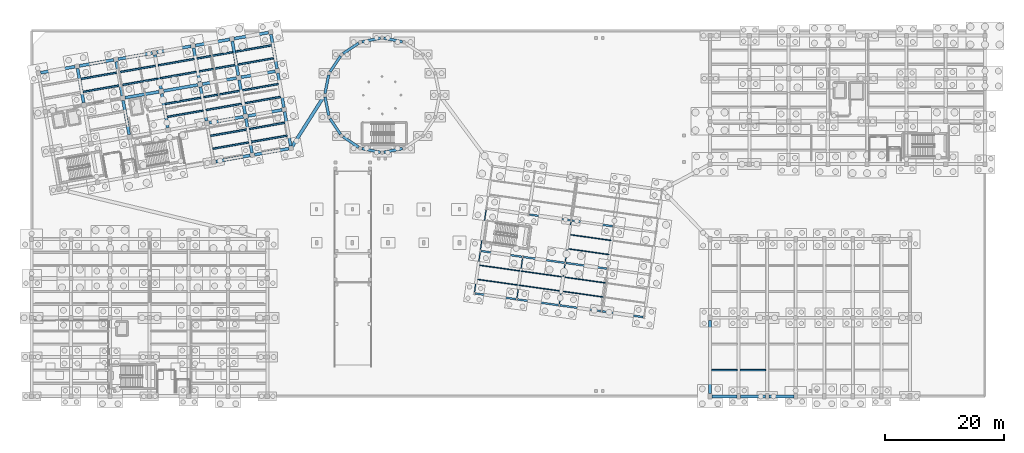
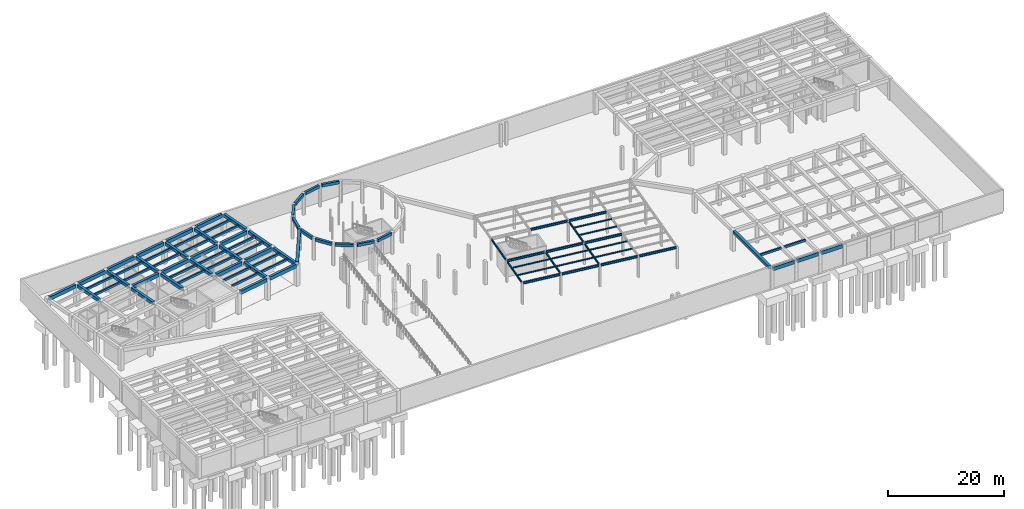
# One storey, part 18 of 34: 86 beams.
"""IFC4 building model written with IfcOpenShell, lengths in metres."""

from ifc_helpers import new_model, si_unit, direction, frame, origin, origin_2d, place, context, subcontext, project, spatial, rectangle, i_section, extrude, material, material_profile, profile_set, type_object, element, save


model = new_model("IFC4")

# Units and contexts
model_context = context("Model", 3, precision=1e-05, world=origin(), true_north=direction((0.0, 1.0)))
body_context = subcontext(model_context, "Body", "Model", "MODEL_VIEW")
ifc_project = project(units=[si_unit("LENGTHUNIT", "METRE"), si_unit("AREAUNIT", "SQUARE_METRE"), si_unit("VOLUMEUNIT", "CUBIC_METRE"), si_unit("PLANEANGLEUNIT", "RADIAN"), si_unit("MASSUNIT", "GRAM", prefix="KILO")], contexts=[model_context])

# Site, building, storey
site_placement = place(None, origin())
site = spatial("IfcSite", under=ifc_project, at=site_placement, CompositionType="ELEMENT")
building_placement = place(site_placement, origin())
building = spatial("IfcBuilding", under=site, at=building_placement, Name="Kharisveld Research Institute", CompositionType="ELEMENT")
storey_placement = place(building_placement, frame((0.0, 0.0, -4.800048828125)))
storey = spatial("IfcBuildingStorey", under=building, at=storey_placement, Name="B1", CompositionType="ELEMENT", Elevation=-4.800048828125)

# Beams
ifc_material_1 = material(Name="Concrete C40/50", Category="concrete")
ifc_material_profile_1 = material_profile(ifc_material_1, rectangle(XDim=0.449951171875, YDim=0.60009765625, at=origin_2d()))
ifc_profile_set_1 = profile_set([ifc_material_profile_1], Name="Concrete C40/50")
beam_type_1 = type_object("IfcBeamType", Name="BM_RC_450x600", PredefinedType="BEAM", material=ifc_profile_set_1)
for number, where, z_axis, x_axis, name in (
    (1, (62.898681640625, 59.77392578125, 4.320068359375), (-0.980790735616, 0.195062894807, 0.0), (-0.195062894807, -0.980790735616, 0.0), "BM:V6:B1:RING03"),
    (2, (59.205810546875, 60.391357421875, 4.320068359375), (-0.980790735616, -0.195062894807, 0.0), (0.195062894807, -0.980790735616, 0.0), "BM:V6:B1:RING04"),
    (3, (55.5576171875, 59.548828125, 4.320068359375), (-0.831468390799, -0.555572061125, 0.0), (0.555572061125, -0.831468390799, 0.0), "BM:V6:B1:RING05"),
):
    element("IfcBeam", number, at=place(storey_placement, frame(where, z_axis=z_axis, x_axis=x_axis)), inside=storey, type_object=beam_type_1, Name=name, PredefinedType="BEAM", context=body_context, shape_type="SweptSolid", body=[
        extrude(rectangle(XDim=0.449951171875, YDim=0.60009765625, at=origin_2d()), origin(), (0.0, 0.0, 1.0), 3.165283203125),
    ])
beam_1_placement = place(storey_placement, frame((52.509765625, 57.3740234375, 4.320068359375), z_axis=(-0.555607692678, -0.831444581338, 0.0), x_axis=(0.831444581338, -0.555607692678, 0.0)))
element("IfcBeam", 4, at=beam_1_placement, inside=storey, type_object=beam_type_1, Name="BM:V6:B1:RING06", PredefinedType="BEAM", context=body_context, shape_type="SweptSolid", body=[
    extrude(rectangle(XDim=0.449951171875, YDim=0.60009765625, at=origin_2d()), origin(), (0.0, 0.0, 1.0), 3.1650390625),
])
for number, where, z_axis, x_axis, name in (
    (5, (50.526123046875, 54.19873046875, 4.320068359375), (-0.1951370888, -0.980775976752, 0.0), (0.980775976752, -0.1951370888, 0.0), "BM:V6:B1:RING07"),
    (6, (49.908447265625, 50.505859375, 4.320068359375), (0.1951370888, -0.980775976752, 0.0), (0.980775976752, 0.1951370888, 0.0), "BM:V6:B1:RING08"),
    (7, (50.751220703125, 46.857666015625, 4.320068359375), (0.555572061125, -0.831468390799, 0.0), (0.831468390799, 0.555572061125, 0.0), "BM:V6:B1:RING09"),
    (8, (52.92578125, 43.809814453125, 4.320068359375), (0.831468390799, -0.555572061125, 0.0), (0.555572061125, 0.831468390799, 0.0), "BM:V6:B1:RING10"),
    (9, (56.101318359375, 41.825927734375, 4.320068359375), (0.980790735616, -0.195062894807, 0.0), (0.195062894807, 0.980790735616, 0.0), "BM:V6:B1:RING11"),
    (10, (59.794189453125, 41.20849609375, 4.320068359375), (0.980790735616, 0.195062894807, 0.0), (-0.195062894807, 0.980790735616, 0.0), "BM:V6:B1:RING12"),
):
    element("IfcBeam", number, at=place(storey_placement, frame(where, z_axis=z_axis, x_axis=x_axis)), inside=storey, type_object=beam_type_1, Name=name, PredefinedType="BEAM", context=body_context, shape_type="SweptSolid", body=[
        extrude(rectangle(XDim=0.449951171875, YDim=0.60009765625, at=origin_2d()), origin(), (0.0, 0.0, 1.0), 3.165283203125),
    ])
ifc_material_2 = material(Name="Concrete C40/50", Category="concrete")
ifc_material_profile_2 = material_profile(ifc_material_2, rectangle(XDim=0.5, YDim=0.64990234375, at=origin_2d()))
ifc_profile_set_2 = profile_set([ifc_material_profile_2], Name="Concrete C40/50")
beam_type_2 = type_object("IfcBeamType", Name="BM_RC_500x650", PredefinedType="BEAM", material=ifc_profile_set_2)
beam_2_placement = place(storey_placement, frame((9.338134765625, 49.549560546875, 4.28515625), z_axis=(-0.173649041937, 0.984807600618, 0.0), x_axis=(-0.984807600618, -0.173649041937, 0.0)))
element("IfcBeam", 11, at=beam_2_placement, inside=storey, type_object=beam_type_2, Name="BM:V1:B1:V1_2", PredefinedType="BEAM", context=body_context, shape_type="SweptSolid", body=[
    extrude(rectangle(XDim=0.5, YDim=0.64990234375, at=origin_2d()), origin(), (0.0, 0.0, 1.0), 5.82470703125),
])
beam_3_placement = place(storey_placement, frame((16.98388671875, 44.19580078125, 4.28515625), z_axis=(-0.17363405094, 0.984810243831, 0.0), x_axis=(-0.984810243831, -0.17363405094, 0.0)))
element("IfcBeam", 12, at=beam_3_placement, inside=storey, type_object=beam_type_2, Name="BM:V1:B1:V2_1", PredefinedType="BEAM", context=body_context, shape_type="SweptSolid", body=[
    extrude(rectangle(XDim=0.5, YDim=0.64990234375, at=origin_2d()), origin(), (0.0, 0.0, 1.0), 5.800048828125),
])
beam_4_placement = place(storey_placement, frame((15.837890625, 50.695556640625, 4.28515625), z_axis=(-0.173641874505, 0.984808864409, 0.0), x_axis=(-0.984808864409, -0.173641874505, 0.0)))
element("IfcBeam", 13, at=beam_4_placement, inside=storey, type_object=beam_type_2, Name="BM:V1:B1:V2_2", PredefinedType="BEAM", context=body_context, shape_type="SweptSolid", body=[
    extrude(rectangle(XDim=0.5, YDim=0.64990234375, at=origin_2d()), origin(), (0.0, 0.0, 1.0), 5.824951171875),
])
beam_5_placement = place(storey_placement, frame((23.483642578125, 45.341796875, 4.28515625), z_axis=(-0.17363405094, 0.984810243831, 0.0), x_axis=(-0.984810243831, -0.17363405094, 0.0)))
element("IfcBeam", 14, at=beam_5_placement, inside=storey, type_object=beam_type_2, Name="BM:V1:B1:V3_1", PredefinedType="BEAM", context=body_context, shape_type="SweptSolid", body=[
    extrude(rectangle(XDim=0.5, YDim=0.64990234375, at=origin_2d()), origin(), (0.0, 0.0, 1.0), 5.800048828125),
])
beam_6_placement = place(storey_placement, frame((22.337646484375, 51.841552734375, 4.28515625), z_axis=(-0.173641874505, 0.984808864409, 0.0), x_axis=(-0.984808864409, -0.173641874505, 0.0)))
element("IfcBeam", 15, at=beam_6_placement, inside=storey, type_object=beam_type_2, Name="BM:V1:B1:V3_2", PredefinedType="BEAM", context=body_context, shape_type="SweptSolid", body=[
    extrude(rectangle(XDim=0.5, YDim=0.64990234375, at=origin_2d()), origin(), (0.0, 0.0, 1.0), 5.824951171875),
])
beam_7_placement = place(storey_placement, frame((29.9833984375, 46.488037109375, 4.28515625), z_axis=(-0.17363405094, 0.984810243831, 0.0), x_axis=(-0.984810243831, -0.17363405094, 0.0)))
element("IfcBeam", 16, at=beam_7_placement, inside=storey, type_object=beam_type_2, Name="BM:V1:B1:V4_1", PredefinedType="BEAM", context=body_context, shape_type="SweptSolid", body=[
    extrude(rectangle(XDim=0.5, YDim=0.64990234375, at=origin_2d()), origin(), (0.0, 0.0, 1.0), 5.800048828125),
])
beam_8_placement = place(storey_placement, frame((28.83740234375, 52.98779296875, 4.28515625), z_axis=(-0.173649041937, 0.984807600618, 0.0), x_axis=(-0.984807600618, -0.173649041937, 0.0)))
element("IfcBeam", 17, at=beam_8_placement, inside=storey, type_object=beam_type_2, Name="BM:V1:B1:V4_2", PredefinedType="BEAM", context=body_context, shape_type="SweptSolid", body=[
    extrude(rectangle(XDim=0.5, YDim=0.64990234375, at=origin_2d()), origin(), (0.0, 0.0, 1.0), 5.82470703125),
])
beam_9_placement = place(storey_placement, frame((37.633544921875, 41.109619140625, 4.28515625), z_axis=(-0.173641874505, 0.984808864409, 0.0), x_axis=(-0.984808864409, -0.173641874505, 0.0)))
element("IfcBeam", 18, at=beam_9_placement, inside=storey, type_object=beam_type_2, Name="BM:V1:B1:V5_0", PredefinedType="BEAM", context=body_context, shape_type="SweptSolid", body=[
    extrude(rectangle(XDim=0.5, YDim=0.64990234375, at=origin_2d()), origin(), (0.0, 0.0, 1.0), 5.824951171875),
])
beam_10_placement = place(storey_placement, frame((36.483154296875, 47.634033203125, 4.28515625), z_axis=(-0.17363405094, 0.984810243831, 0.0), x_axis=(-0.984810243831, -0.17363405094, 0.0)))
element("IfcBeam", 19, at=beam_10_placement, inside=storey, type_object=beam_type_2, Name="BM:V1:B1:V5_1", PredefinedType="BEAM", context=body_context, shape_type="SweptSolid", body=[
    extrude(rectangle(XDim=0.5, YDim=0.64990234375, at=origin_2d()), origin(), (0.0, 0.0, 1.0), 5.800048828125),
])
beam_11_placement = place(storey_placement, frame((35.337158203125, 54.1337890625, 4.28515625), z_axis=(-0.173682522459, 0.984801696481, 0.0), x_axis=(-0.984801696481, -0.173682522459, 0.0)))
element("IfcBeam", 20, at=beam_11_placement, inside=storey, type_object=beam_type_2, Name="BM:V1:B1:V5_2", PredefinedType="BEAM", context=body_context, shape_type="SweptSolid", body=[
    extrude(rectangle(XDim=0.5, YDim=0.64990234375, at=origin_2d()), origin(), (0.0, 0.0, 1.0), 5.8251953125),
])
for number, where, z_axis, x_axis, name in (
    (21, (44.13330078125, 42.255859375, 4.28515625), (-0.17365676812, 0.984806238245, 0.0), (-0.984806238245, -0.17365676812, 0.0), "BM:V1:B1:V6_0"),
    (22, (42.9873046875, 48.755615234375, 4.28515625), (-0.17365676812, 0.984806238245, 0.0), (-0.984806238245, -0.17365676812, 0.0), "BM:V1:B1:V6_1"),
):
    element("IfcBeam", number, at=place(storey_placement, frame(where, z_axis=z_axis, x_axis=x_axis)), inside=storey, type_object=beam_type_2, Name=name, PredefinedType="BEAM", context=body_context, shape_type="SweptSolid", body=[
        extrude(rectangle(XDim=0.5, YDim=0.64990234375, at=origin_2d()), origin(), (0.0, 0.0, 1.0), 5.849853515625),
    ])
beam_12_placement = place(storey_placement, frame((41.841064453125, 55.255126953125, 4.28515625), z_axis=(-0.173649631067, 0.984807496737, 0.0), x_axis=(-0.984807496737, -0.173649631067, 0.0)))
element("IfcBeam", 23, at=beam_12_placement, inside=storey, type_object=beam_type_2, Name="BM:V1:B1:V6_2", PredefinedType="BEAM", context=body_context, shape_type="SweptSolid", body=[
    extrude(rectangle(XDim=0.5, YDim=0.64990234375, at=origin_2d()), origin(), (0.0, 0.0, 1.0), 5.85009765625),
])
beam_13_placement = place(storey_placement, frame((114.60009765625, 0.64990234375, 4.054931640625), z_axis=(0.0, 1.0, 0.0), x_axis=(-1.0, 0.0, 0.0)))
element("IfcBeam", 24, at=beam_13_placement, inside=storey, type_object=beam_type_2, Name="BM:V5:B1:V0_0", PredefinedType="BEAM", context=body_context, shape_type="SweptSolid", body=[
    extrude(rectangle(XDim=0.5, YDim=0.64990234375, at=origin_2d()), origin(), (0.0, 0.0, 1.0), 12.300048828125),
])
ifc_material_3 = material(Name="Concrete C40/50", Category="concrete")
ifc_material_profile_3 = material_profile(ifc_material_3, rectangle(XDim=0.5, YDim=0.75, at=origin_2d()))
ifc_profile_set_3 = profile_set([ifc_material_profile_3], Name="Concrete C40/50")
beam_type_3 = type_object("IfcBeamType", Name="BM_RC_500x750", PredefinedType="BEAM", material=ifc_profile_set_3)
for number, where, z_axis, x_axis, name in (
    (25, (31.568115234375, 39.659423828125, 4.235107421875), (0.984807496737, 0.173649631067, 0.0), (-0.173649631067, 0.984807496737, 0.0), "BM:V1:B1:U4_0"),
    (26, (38.06787109375, 40.805419921875, 4.235107421875), (0.984807496737, 0.173649631067, 0.0), (-0.173649631067, 0.984807496737, 0.0), "BM:V1:B1:U5_0"),
):
    element("IfcBeam", number, at=place(storey_placement, frame(where, z_axis=z_axis, x_axis=x_axis)), inside=storey, type_object=beam_type_3, Name=name, PredefinedType="BEAM", context=body_context, shape_type="SweptSolid", body=[
        extrude(rectangle(XDim=0.5, YDim=0.75, at=origin_2d()), origin(), (0.0, 0.0, 1.0), 5.85009765625),
    ])
beam_14_placement = place(storey_placement, frame((30.44677734375, 46.16357421875, 4.235107421875), z_axis=(0.984810243831, 0.17363405094, 0.0), x_axis=(-0.17363405094, 0.984810243831, 0.0)))
element("IfcBeam", 27, at=beam_14_placement, inside=storey, type_object=beam_type_3, Name="BM:V1:B1:U4_1", PredefinedType="BEAM", context=body_context, shape_type="SweptSolid", body=[
    extrude(rectangle(XDim=0.5, YDim=0.75, at=origin_2d()), origin(), (0.0, 0.0, 1.0), 5.800048828125),
])
beam_15_placement = place(storey_placement, frame((36.946533203125, 47.3095703125, 4.235107421875), z_axis=(0.984808864409, 0.173641874505, 0.0), x_axis=(-0.173641874505, 0.984808864409, 0.0)))
element("IfcBeam", 28, at=beam_15_placement, inside=storey, type_object=beam_type_3, Name="BM:V1:B1:U5_1", PredefinedType="BEAM", context=body_context, shape_type="SweptSolid", body=[
    extrude(rectangle(XDim=0.5, YDim=0.75, at=origin_2d()), origin(), (0.0, 0.0, 1.0), 5.824951171875),
])
for number, where, z_axis, x_axis, name in (
    (29, (16.30126953125, 50.37109375, 4.235107421875), (0.984810243831, 0.17363405094, 0.0), (-0.17363405094, 0.984810243831, 0.0), "BM:V1:B1:U2_2"),
    (30, (22.801025390625, 51.51708984375, 4.235107421875), (0.98480304526, 0.17367487454, 0.0), (-0.17367487454, 0.98480304526, 0.0), "BM:V1:B1:U3_2"),
    (31, (29.30078125, 52.663330078125, 4.235107421875), (0.984810243831, 0.17363405094, 0.0), (-0.17363405094, 0.984810243831, 0.0), "BM:V1:B1:U4_2"),
):
    element("IfcBeam", number, at=place(storey_placement, frame(where, z_axis=z_axis, x_axis=x_axis)), inside=storey, type_object=beam_type_3, Name=name, PredefinedType="BEAM", context=body_context, shape_type="SweptSolid", body=[
        extrude(rectangle(XDim=0.5, YDim=0.75, at=origin_2d()), origin(), (0.0, 0.0, 1.0), 5.800048828125),
    ])
beam_16_placement = place(storey_placement, frame((35.800537109375, 53.809326171875, 4.235107421875), z_axis=(0.984807600618, 0.173649041937, 0.0), x_axis=(-0.173649041937, 0.984807600618, 0.0)))
element("IfcBeam", 32, at=beam_16_placement, inside=storey, type_object=beam_type_3, Name="BM:V1:B1:U5_2", PredefinedType="BEAM", context=body_context, shape_type="SweptSolid", body=[
    extrude(rectangle(XDim=0.5, YDim=0.75, at=origin_2d()), origin(), (0.0, 0.0, 1.0), 5.82470703125),
])
for number, where, z_axis, x_axis, name in (
    (33, (2.131103515625, 54.57421875, 4.235107421875), (0.984806238245, 0.17365676812, 0.0), (-0.17365676812, 0.984806238245, 0.0), "BM:V1:B1:U0_3"),
    (34, (8.630859375, 55.720458984375, 4.235107421875), (0.984806238245, 0.17365676812, 0.0), (-0.17365676812, 0.984806238245, 0.0), "BM:V1:B1:U1_3"),
    (35, (15.130615234375, 56.866455078125, 4.235107421875), (0.984806238245, 0.17365676812, 0.0), (-0.17365676812, 0.984806238245, 0.0), "BM:V1:B1:U2_3"),
    (36, (21.63037109375, 58.012451171875, 4.235107421875), (0.984806238245, 0.17365676812, 0.0), (-0.17365676812, 0.984806238245, 0.0), "BM:V1:B1:U3_3"),
):
    element("IfcBeam", number, at=place(storey_placement, frame(where, z_axis=z_axis, x_axis=x_axis)), inside=storey, type_object=beam_type_3, Name=name, PredefinedType="BEAM", context=body_context, shape_type="SweptSolid", body=[
        extrude(rectangle(XDim=0.5, YDim=0.75, at=origin_2d()), origin(), (0.0, 0.0, 1.0), 5.849853515625),
    ])
for number, where, z_axis, x_axis, name in (
    (37, (28.1298828125, 59.15869140625, 4.235107421875), (0.984807496737, 0.173649631067, 0.0), (-0.173649631067, 0.984807496737, 0.0), "BM:V1:B1:U4_3"),
    (38, (34.629638671875, 60.3046875, 4.235107421875), (0.984807496737, 0.173649631067, 0.0), (-0.173649631067, 0.984807496737, 0.0), "BM:V1:B1:U5_3"),
):
    element("IfcBeam", number, at=place(storey_placement, frame(where, z_axis=z_axis, x_axis=x_axis)), inside=storey, type_object=beam_type_3, Name=name, PredefinedType="BEAM", context=body_context, shape_type="SweptSolid", body=[
        extrude(rectangle(XDim=0.5, YDim=0.75, at=origin_2d()), origin(), (0.0, 0.0, 1.0), 5.85009765625),
    ])
beam_17_placement = place(storey_placement, frame((114.89990234375, 0.199951171875, 4.005126953125), z_axis=(1.0, 0.0, 0.0), x_axis=(0.0, 1.0, 0.0)))
element("IfcBeam", 39, at=beam_17_placement, inside=storey, type_object=beam_type_3, Name="BM:V5:B1:U0_0", PredefinedType="BEAM", context=body_context, shape_type="SweptSolid", body=[
    extrude(rectangle(XDim=0.5, YDim=0.75, at=origin_2d()), origin(), (0.0, 0.0, 1.0), 4.2001953125),
])
for number, where, z_axis, x_axis, name in (
    (40, (119.699951171875, 0.199951171875, 4.005126953125), (1.0, 0.0, 0.0), (0.0, 1.0, 0.0), "BM:V5:B1:U1_0"),
    (41, (124.5, 0.199951171875, 4.005126953125), (1.0, 0.0, 0.0), (0.0, 1.0, 0.0), "BM:V5:B1:U2_0"),
):
    element("IfcBeam", number, at=place(storey_placement, frame(where, z_axis=z_axis, x_axis=x_axis)), inside=storey, type_object=beam_type_3, Name=name, PredefinedType="BEAM", context=body_context, shape_type="SweptSolid", body=[
        extrude(rectangle(XDim=0.5, YDim=0.75, at=origin_2d()), origin(), (0.0, 0.0, 1.0), 4.199951171875),
    ])
ifc_material_4 = material(Name="Concrete C40/50", Category="concrete")
ifc_material_profile_4 = material_profile(ifc_material_4, rectangle(XDim=0.550048828125, YDim=0.85009765625, at=origin_2d()))
ifc_profile_set_4 = profile_set([ifc_material_profile_4], Name="Concrete C40/50")
beam_type_4 = type_object("IfcBeamType", Name="BM_RC_550x850", PredefinedType="BEAM", material=ifc_profile_set_4)
beam_18_placement = place(storey_placement, frame((44.359130859375, 42.139892578125, 4.25), z_axis=(0.535486134665, 0.844544018735, 0.0), x_axis=(-0.844544018735, 0.535486134665, 0.0)))
element("IfcBeam", 42, at=beam_18_placement, inside=storey, type_object=beam_type_4, Name="BM:B1:TIE_V1_V6", PredefinedType="BEAM", context=body_context, shape_type="SweptSolid", body=[
    extrude(rectangle(XDim=0.550048828125, YDim=0.85009765625, at=origin_2d()), origin(), (0.0, 0.0, 1.0), 9.9541015625),
])
ifc_material_5 = material(Name="Steel S355JR", Category="steel")
ifc_material_profile_5 = material_profile(ifc_material_5, i_section(OverallWidth=0.300048828125, OverallDepth=0.43994140625, WebThickness=0.011474609375, FlangeThickness=0.02099609375, at=origin_2d()))
ifc_profile_set_5 = profile_set([ifc_material_profile_5], Name="Steel S355JR")
beam_type_5 = type_object("IfcBeamType", Name="BM_ST_HEA450", PredefinedType="BEAM", material=ifc_profile_set_5)
beam_19_placement = place(storey_placement, frame((75.1484375, 17.47900390625, 4.39013671875), z_axis=(0.990270296504, -0.139157248683, 0.0), x_axis=(0.139157248683, 0.990270296504, 0.0)))
element("IfcBeam", 43, at=beam_19_placement, inside=storey, type_object=beam_type_5, Name="BM:V4:B1:U0_0", PredefinedType="BEAM", context=body_context, shape_type="SweptSolid", body=[
    extrude(i_section(OverallWidth=0.300048828125, OverallDepth=0.43994140625, WebThickness=0.011474609375, FlangeThickness=0.02099609375, at=origin_2d()), origin(), (0.0, 0.0, 1.0), 6.900146484375),
])
for number, where, z_axis, x_axis, name in (
    (44, (82.278564453125, 16.47705078125, 4.39013671875), (0.990269611306, -0.139162124603, 0.0), (0.139162124603, 0.990269611306, 0.0), "BM:V4:B1:U1_0"),
    (45, (89.408447265625, 15.47509765625, 4.39013671875), (0.990264734633, -0.139196822312, 0.0), (0.139196822312, 0.990264734633, 0.0), "BM:V4:B1:U2_0"),
    (46, (96.538330078125, 14.472900390625, 4.39013671875), (0.990269611306, -0.139162124603, 0.0), (0.139162124603, 0.990269611306, 0.0), "BM:V4:B1:U3_0"),
    (47, (76.150634765625, 24.609130859375, 4.39013671875), (0.990264734633, -0.139196822312, 0.0), (0.139196822312, 0.990264734633, 0.0), "BM:V4:B1:U0_1"),
    (48, (83.280517578125, 23.60693359375, 4.39013671875), (0.990269611306, -0.139162124603, 0.0), (0.139162124603, 0.990269611306, 0.0), "BM:V4:B1:U1_1"),
):
    element("IfcBeam", number, at=place(storey_placement, frame(where, z_axis=z_axis, x_axis=x_axis)), inside=storey, type_object=beam_type_5, Name=name, PredefinedType="BEAM", context=body_context, shape_type="SweptSolid", body=[
        extrude(i_section(OverallWidth=0.300048828125, OverallDepth=0.43994140625, WebThickness=0.011474609375, FlangeThickness=0.02099609375, at=origin_2d()), origin(), (0.0, 0.0, 1.0), 6.89990234375),
    ])
for number, where, z_axis, x_axis, name in (
    (49, (90.410400390625, 22.60498046875, 4.39013671875), (0.990270296504, -0.139157248683, 0.0), (0.139157248683, 0.990270296504, 0.0), "BM:V4:B1:U2_1"),
    (50, (84.282470703125, 30.73681640625, 4.39013671875), (0.990270296504, -0.139157248683, 0.0), (0.139157248683, 0.990270296504, 0.0), "BM:V4:B1:U1_2"),
):
    element("IfcBeam", number, at=place(storey_placement, frame(where, z_axis=z_axis, x_axis=x_axis)), inside=storey, type_object=beam_type_5, Name=name, PredefinedType="BEAM", context=body_context, shape_type="SweptSolid", body=[
        extrude(i_section(OverallWidth=0.300048828125, OverallDepth=0.43994140625, WebThickness=0.011474609375, FlangeThickness=0.02099609375, at=origin_2d()), origin(), (0.0, 0.0, 1.0), 6.900146484375),
    ])
beam_20_placement = place(storey_placement, frame((91.41259765625, 29.73486328125, 4.39013671875), z_axis=(0.990269611306, -0.139162124603, 0.0), x_axis=(0.139162124603, 0.990269611306, 0.0)))
element("IfcBeam", 51, at=beam_20_placement, inside=storey, type_object=beam_type_5, Name="BM:V4:B1:U2_2", PredefinedType="BEAM", context=body_context, shape_type="SweptSolid", body=[
    extrude(i_section(OverallWidth=0.300048828125, OverallDepth=0.43994140625, WebThickness=0.011474609375, FlangeThickness=0.02099609375, at=origin_2d()), origin(), (0.0, 0.0, 1.0), 6.89990234375),
])
ifc_material_6 = material(Name="Steel S355JR", Category="steel")
ifc_material_profile_6 = material_profile(ifc_material_6, i_section(OverallWidth=0.179931640625, OverallDepth=0.39990234375, WebThickness=0.008544921875, FlangeThickness=0.013427734375, at=origin_2d()))
ifc_profile_set_6 = profile_set([ifc_material_profile_6], Name="Steel S355JR")
beam_type_6 = type_object("IfcBeamType", Name="BM_ST_IPE400", PredefinedType="BEAM", material=ifc_profile_set_6)
for number, where, z_axis, x_axis, name in (
    (52, (75.02783203125, 17.697998046875, 4.41015625), (0.139159112966, 0.990270034525, 0.0), (-0.990270034525, 0.139159112966, 0.0), "BM:V4:B1:V0_0"),
    (53, (76.02978515625, 24.827880859375, 4.41015625), (0.139194320199, 0.99026508634, 0.0), (-0.99026508634, 0.139194320199, 0.0), "BM:V4:B1:V0_1"),
    (54, (82.15771484375, 16.696044921875, 4.41015625), (0.139194320199, 0.99026508634, 0.0), (-0.99026508634, 0.139194320199, 0.0), "BM:V4:B1:V1_0"),
    (55, (89.28759765625, 15.69384765625, 4.41015625), (0.139194320199, 0.99026508634, 0.0), (-0.99026508634, 0.139194320199, 0.0), "BM:V4:B1:V2_0"),
):
    element("IfcBeam", number, at=place(storey_placement, frame(where, z_axis=z_axis, x_axis=x_axis)), inside=storey, type_object=beam_type_6, Name=name, PredefinedType="BEAM", context=body_context, shape_type="SweptSolid", body=[
        extrude(i_section(OverallWidth=0.179931640625, OverallDepth=0.39990234375, WebThickness=0.008544921875, FlangeThickness=0.013427734375, at=origin_2d()), origin(), (0.0, 0.0, 1.0), 6.800048828125),
    ])
beam_21_placement = place(storey_placement, frame((90.289794921875, 22.823974609375, 4.41015625), z_axis=(0.139164060724, 0.990269339222, 0.0), x_axis=(-0.990269339222, 0.139164060724, 0.0)))
element("IfcBeam", 56, at=beam_21_placement, inside=storey, type_object=beam_type_6, Name="BM:V4:B1:V2_1", PredefinedType="BEAM", context=body_context, shape_type="SweptSolid", body=[
    extrude(i_section(OverallWidth=0.179931640625, OverallDepth=0.39990234375, WebThickness=0.008544921875, FlangeThickness=0.013427734375, at=origin_2d()), origin(), (0.0, 0.0, 1.0), 6.7998046875),
])
ifc_material_7 = material(Name="Steel S355JR", Category="steel")
ifc_material_profile_7 = material_profile(ifc_material_7, i_section(OverallWidth=0.135009765625, OverallDepth=0.27001953125, WebThickness=0.006591796875, FlangeThickness=0.01025390625, at=origin_2d()))
ifc_profile_set_7 = profile_set([ifc_material_profile_7], Name="Steel S355JR")
beam_type_7 = type_object("IfcBeamType", Name="JS_ST_IPE270", PredefinedType="JOIST", material=ifc_profile_set_7)
for number, where, z_axis, x_axis, name in (
    (57, (75.423095703125, 19.864013671875, 4.47509765625), (0.99027170983, -0.139147190807, 0.0), (0.139147190807, 0.99027170983, 0.0), "BM:V4:B1:J_0_0_R1"),
    (58, (75.757080078125, 22.24072265625, 4.47509765625), (0.990266917069, -0.139181295291, 0.0), (0.139181295291, 0.990266917069, 0.0), "BM:V4:B1:J_0_0_R2"),
    (59, (82.552978515625, 18.862060546875, 4.47509765625), (0.990266917069, -0.139181295291, 0.0), (0.139181295291, 0.990266917069, 0.0), "BM:V4:B1:J_1_0_R1"),
    (60, (82.88720703125, 21.23876953125, 4.47509765625), (0.990266917069, -0.139181295291, 0.0), (0.139181295291, 0.990266917069, 0.0), "BM:V4:B1:J_1_0_R2"),
    (61, (89.68310546875, 17.860107421875, 4.47509765625), (0.990266917069, -0.139181295291, 0.0), (0.139181295291, 0.990266917069, 0.0), "BM:V4:B1:J_2_0_R1"),
    (62, (90.01708984375, 20.236572265625, 4.47509765625), (0.99027170983, -0.139147190807, 0.0), (0.139147190807, 0.99027170983, 0.0), "BM:V4:B1:J_2_0_R2"),
    (63, (90.68505859375, 24.989990234375, 4.47509765625), (0.990266917069, -0.139181295291, 0.0), (0.139181295291, 0.990266917069, 0.0), "BM:V4:B1:J_2_1_R1"),
    (64, (91.01904296875, 27.36669921875, 4.47509765625), (0.990266917069, -0.139181295291, 0.0), (0.139181295291, 0.990266917069, 0.0), "BM:V4:B1:J_2_1_R2"),
):
    element("IfcBeam", number, at=place(storey_placement, frame(where, z_axis=z_axis, x_axis=x_axis)), inside=storey, type_object=beam_type_7, Name=name, PredefinedType="JOIST", context=body_context, shape_type="SweptSolid", body=[
        extrude(i_section(OverallWidth=0.135009765625, OverallDepth=0.27001953125, WebThickness=0.006591796875, FlangeThickness=0.01025390625, at=origin_2d()), origin(), (0.0, 0.0, 1.0), 7.02001953125),
    ])
ifc_material_8 = material(Name="Concrete C40/50", Category="concrete")
ifc_material_profile_8 = material_profile(ifc_material_8, rectangle(XDim=0.280029296875, YDim=0.449951171875, at=origin_2d()))
ifc_profile_set_8 = profile_set([ifc_material_profile_8], Name="Concrete C40/50")
beam_type_8 = type_object("IfcBeamType", Name="WB_RC_280x450", PredefinedType="JOIST", material=ifc_profile_set_8)
beam_22_placement = place(storey_placement, frame((9.271728515625, 51.365478515625, 4.385009765625), z_axis=(0.984805711192, 0.173659757005, 0.0), x_axis=(-0.173659757005, 0.984805711192, 0.0)))
element("IfcBeam", 65, at=beam_22_placement, inside=storey, type_object=beam_type_8, Name="BM:V1:B1:J_1_2_R1", PredefinedType="JOIST", context=body_context, shape_type="SweptSolid", body=[
    extrude(rectangle(XDim=0.280029296875, YDim=0.449951171875, at=origin_2d()), origin(), (0.0, 0.0, 1.0), 6.10009765625),
])
for number, where, z_axis, x_axis, name in (
    (66, (8.8896484375, 53.5322265625, 4.385009765625), (0.984812555252, 0.173620940611, 0.0), (-0.173620940611, 0.984812555252, 0.0), "BM:V1:B1:J_1_2_R2"),
    (67, (15.771484375, 52.51171875, 4.385009765625), (0.984812555252, 0.173620940611, 0.0), (-0.173620940611, 0.984812555252, 0.0), "BM:V1:B1:J_2_2_R1"),
):
    element("IfcBeam", number, at=place(storey_placement, frame(where, z_axis=z_axis, x_axis=x_axis)), inside=storey, type_object=beam_type_8, Name=name, PredefinedType="JOIST", context=body_context, shape_type="SweptSolid", body=[
        extrude(rectangle(XDim=0.280029296875, YDim=0.449951171875, at=origin_2d()), origin(), (0.0, 0.0, 1.0), 6.099853515625),
    ])
for number, where, z_axis, x_axis, name in (
    (68, (15.389404296875, 54.67822265625, 4.385009765625), (0.984805711192, 0.173659757005, 0.0), (-0.173659757005, 0.984805711192, 0.0), "BM:V1:B1:J_2_2_R2"),
    (69, (23.417236328125, 47.157958984375, 4.385009765625), (0.984805711192, 0.173659757005, 0.0), (-0.173659757005, 0.984805711192, 0.0), "BM:V1:B1:J_3_1_R1"),
    (70, (23.03515625, 49.324462890625, 4.385009765625), (0.984805711192, 0.173659757005, 0.0), (-0.173659757005, 0.984805711192, 0.0), "BM:V1:B1:J_3_1_R2"),
    (71, (22.271240234375, 53.65771484375, 4.385009765625), (0.984805711192, 0.173659757005, 0.0), (-0.173659757005, 0.984805711192, 0.0), "BM:V1:B1:J_3_2_R1"),
    (72, (21.88916015625, 55.82421875, 4.385009765625), (0.984805711192, 0.173659757005, 0.0), (-0.173659757005, 0.984805711192, 0.0), "BM:V1:B1:J_3_2_R2"),
    (73, (31.06298828125, 41.80419921875, 4.385009765625), (0.984805711192, 0.173659757005, 0.0), (-0.173659757005, 0.984805711192, 0.0), "BM:V1:B1:J_4_0_R1"),
):
    element("IfcBeam", number, at=place(storey_placement, frame(where, z_axis=z_axis, x_axis=x_axis)), inside=storey, type_object=beam_type_8, Name=name, PredefinedType="JOIST", context=body_context, shape_type="SweptSolid", body=[
        extrude(rectangle(XDim=0.280029296875, YDim=0.449951171875, at=origin_2d()), origin(), (0.0, 0.0, 1.0), 6.10009765625),
    ])
beam_23_placement = place(storey_placement, frame((30.68115234375, 43.970947265625, 4.385009765625), z_axis=(0.984812555252, 0.173620940611, 0.0), x_axis=(-0.173620940611, 0.984812555252, 0.0)))
element("IfcBeam", 74, at=beam_23_placement, inside=storey, type_object=beam_type_8, Name="BM:V1:B1:J_4_0_R2", PredefinedType="JOIST", context=body_context, shape_type="SweptSolid", body=[
    extrude(rectangle(XDim=0.280029296875, YDim=0.449951171875, at=origin_2d()), origin(), (0.0, 0.0, 1.0), 6.099853515625),
])
beam_24_placement = place(storey_placement, frame((29.9169921875, 48.303955078125, 4.385009765625), z_axis=(0.984805711192, 0.173659757005, 0.0), x_axis=(-0.173659757005, 0.984805711192, 0.0)))
element("IfcBeam", 75, at=beam_24_placement, inside=storey, type_object=beam_type_8, Name="BM:V1:B1:J_4_1_R1", PredefinedType="JOIST", context=body_context, shape_type="SweptSolid", body=[
    extrude(rectangle(XDim=0.280029296875, YDim=0.449951171875, at=origin_2d()), origin(), (0.0, 0.0, 1.0), 6.10009765625),
])
beam_25_placement = place(storey_placement, frame((29.534912109375, 50.470703125, 4.385009765625), z_axis=(0.984812555252, 0.173620940611, 0.0), x_axis=(-0.173620940611, 0.984812555252, 0.0)))
element("IfcBeam", 76, at=beam_25_placement, inside=storey, type_object=beam_type_8, Name="BM:V1:B1:J_4_1_R2", PredefinedType="JOIST", context=body_context, shape_type="SweptSolid", body=[
    extrude(rectangle(XDim=0.280029296875, YDim=0.449951171875, at=origin_2d()), origin(), (0.0, 0.0, 1.0), 6.099853515625),
])
beam_26_placement = place(storey_placement, frame((28.77099609375, 54.8037109375, 4.385009765625), z_axis=(0.984805711192, 0.173659757005, 0.0), x_axis=(-0.173659757005, 0.984805711192, 0.0)))
element("IfcBeam", 77, at=beam_26_placement, inside=storey, type_object=beam_type_8, Name="BM:V1:B1:J_4_2_R1", PredefinedType="JOIST", context=body_context, shape_type="SweptSolid", body=[
    extrude(rectangle(XDim=0.280029296875, YDim=0.449951171875, at=origin_2d()), origin(), (0.0, 0.0, 1.0), 6.10009765625),
])
for number, where, z_axis, x_axis, name in (
    (78, (28.388916015625, 56.970458984375, 4.385009765625), (0.984812555252, 0.173620940611, 0.0), (-0.173620940611, 0.984812555252, 0.0), "BM:V1:B1:J_4_2_R2"),
    (79, (37.562744140625, 42.950439453125, 4.385009765625), (0.984812555252, 0.173620940611, 0.0), (-0.173620940611, 0.984812555252, 0.0), "BM:V1:B1:J_5_0_R1"),
):
    element("IfcBeam", number, at=place(storey_placement, frame(where, z_axis=z_axis, x_axis=x_axis)), inside=storey, type_object=beam_type_8, Name=name, PredefinedType="JOIST", context=body_context, shape_type="SweptSolid", body=[
        extrude(rectangle(XDim=0.280029296875, YDim=0.449951171875, at=origin_2d()), origin(), (0.0, 0.0, 1.0), 6.099853515625),
    ])
beam_27_placement = place(storey_placement, frame((37.180908203125, 45.116943359375, 4.385009765625), z_axis=(0.984805711192, 0.173659757005, 0.0), x_axis=(-0.173659757005, 0.984805711192, 0.0)))
element("IfcBeam", 80, at=beam_27_placement, inside=storey, type_object=beam_type_8, Name="BM:V1:B1:J_5_0_R2", PredefinedType="JOIST", context=body_context, shape_type="SweptSolid", body=[
    extrude(rectangle(XDim=0.280029296875, YDim=0.449951171875, at=origin_2d()), origin(), (0.0, 0.0, 1.0), 6.10009765625),
])
beam_28_placement = place(storey_placement, frame((36.416748046875, 49.4501953125, 4.385009765625), z_axis=(0.984812555252, 0.173620940611, 0.0), x_axis=(-0.173620940611, 0.984812555252, 0.0)))
element("IfcBeam", 81, at=beam_28_placement, inside=storey, type_object=beam_type_8, Name="BM:V1:B1:J_5_1_R1", PredefinedType="JOIST", context=body_context, shape_type="SweptSolid", body=[
    extrude(rectangle(XDim=0.280029296875, YDim=0.449951171875, at=origin_2d()), origin(), (0.0, 0.0, 1.0), 6.099853515625),
])
beam_29_placement = place(storey_placement, frame((36.03466796875, 51.61669921875, 4.385009765625), z_axis=(0.984805711192, 0.173659757005, 0.0), x_axis=(-0.173659757005, 0.984805711192, 0.0)))
element("IfcBeam", 82, at=beam_29_placement, inside=storey, type_object=beam_type_8, Name="BM:V1:B1:J_5_1_R2", PredefinedType="JOIST", context=body_context, shape_type="SweptSolid", body=[
    extrude(rectangle(XDim=0.280029296875, YDim=0.449951171875, at=origin_2d()), origin(), (0.0, 0.0, 1.0), 6.10009765625),
])
beam_30_placement = place(storey_placement, frame((35.270751953125, 55.949951171875, 4.385009765625), z_axis=(0.984812555252, 0.173620940611, 0.0), x_axis=(-0.173620940611, 0.984812555252, 0.0)))
element("IfcBeam", 83, at=beam_30_placement, inside=storey, type_object=beam_type_8, Name="BM:V1:B1:J_5_2_R1", PredefinedType="JOIST", context=body_context, shape_type="SweptSolid", body=[
    extrude(rectangle(XDim=0.280029296875, YDim=0.449951171875, at=origin_2d()), origin(), (0.0, 0.0, 1.0), 6.099853515625),
])
beam_31_placement = place(storey_placement, frame((34.888671875, 58.116455078125, 4.385009765625), z_axis=(0.984805711192, 0.173659757005, 0.0), x_axis=(-0.173659757005, 0.984805711192, 0.0)))
element("IfcBeam", 84, at=beam_31_placement, inside=storey, type_object=beam_type_8, Name="BM:V1:B1:J_5_2_R2", PredefinedType="JOIST", context=body_context, shape_type="SweptSolid", body=[
    extrude(rectangle(XDim=0.280029296875, YDim=0.449951171875, at=origin_2d()), origin(), (0.0, 0.0, 1.0), 6.10009765625),
])
beam_32_placement = place(storey_placement, frame((114.85009765625, 4.60009765625, 4.155029296875), z_axis=(1.0, 0.0, 0.0), x_axis=(0.0, 1.0, 0.0)))
element("IfcBeam", 85, at=beam_32_placement, inside=storey, type_object=beam_type_8, Name="BM:V5:B1:J_0_0_R1", PredefinedType="JOIST", context=body_context, shape_type="SweptSolid", body=[
    extrude(rectangle(XDim=0.280029296875, YDim=0.449951171875, at=origin_2d()), origin(), (0.0, 0.0, 1.0), 4.2998046875),
])
beam_33_placement = place(storey_placement, frame((119.64990234375, 4.60009765625, 4.155029296875), z_axis=(1.0, 0.0, 0.0), x_axis=(0.0, 1.0, 0.0)))
element("IfcBeam", 86, at=beam_33_placement, inside=storey, type_object=beam_type_8, Name="BM:V5:B1:J_1_0_R1", PredefinedType="JOIST", context=body_context, shape_type="SweptSolid", body=[
    extrude(rectangle(XDim=0.280029296875, YDim=0.449951171875, at=origin_2d()), origin(), (0.0, 0.0, 1.0), 4.300048828125),
])

save(model, "model.ifc")
